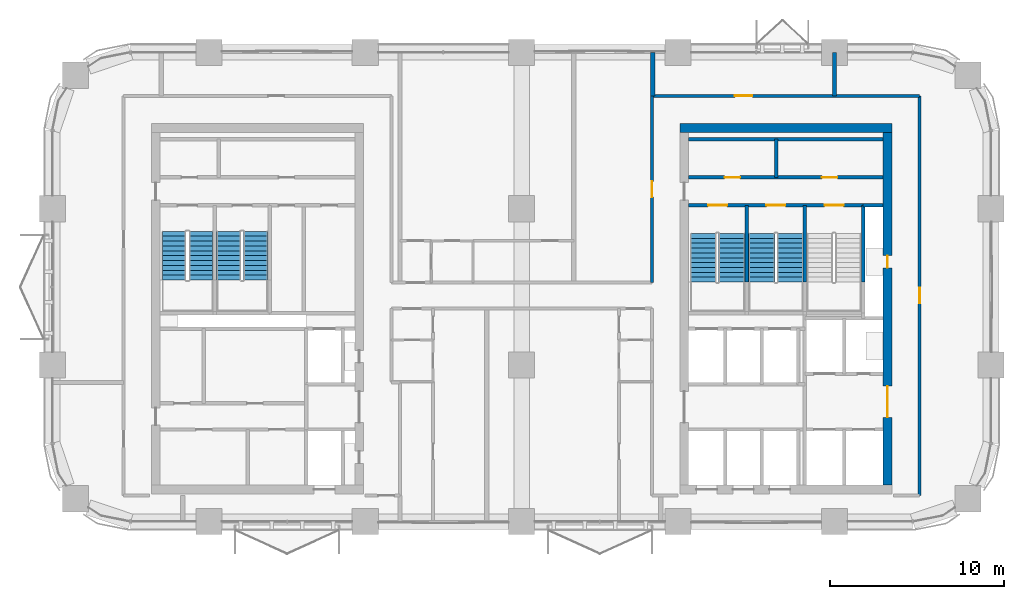
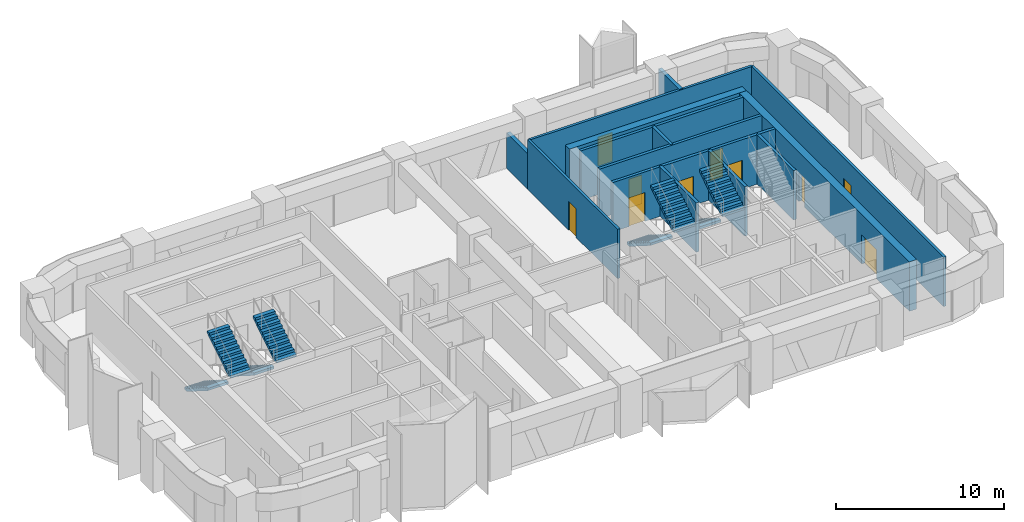
# One storey, part 11 of 14: 15 walls, 10 doors, 8 stair flights, 10 openings, 4 elements without a shape of their own.
"""IFC4 building model written with IfcOpenShell, lengths in metres."""

from ifc_helpers import new_model, si_unit, direction, frame, frame_2d, origin, place, context, subcontext, project, spatial, polyline, rectangle, outline, extrude, material, layer, layer_set, type_object, element, fill, aggregate, save


model = new_model("IFC4")

# Units and contexts
model_context = context("Model", 3, precision=1e-05, world=origin(), true_north=direction((0.0, 1.0)))
body_context = subcontext(model_context, "Body", "Model", "MODEL_VIEW")
ifc_project = project(units=[si_unit("LENGTHUNIT", "METRE"), si_unit("AREAUNIT", "SQUARE_METRE"), si_unit("VOLUMEUNIT", "CUBIC_METRE"), si_unit("PLANEANGLEUNIT", "RADIAN"), si_unit("MASSUNIT", "GRAM", prefix="KILO")], contexts=[model_context])

# Site, building, storey
site_placement = place(None, origin())
site = spatial("IfcSite", under=ifc_project, at=site_placement, CompositionType="ELEMENT")
building_placement = place(site_placement, origin())
building = spatial("IfcBuilding", under=site, at=building_placement, Name="Tessera Arch", CompositionType="ELEMENT")
storey_placement = place(building_placement, frame((0.0, 0.0, 142.699951171875)))
storey = spatial("IfcBuildingStorey", under=building, at=storey_placement, Name="L33", CompositionType="ELEMENT", Elevation=142.699951171875)

# Wall
ifc_material_1 = material(Name="Gypsum board on steel stud", Category="steel")
ifc_layer_1 = layer(ifc_material_1, 0.125)
ifc_layer_set_1 = layer_set([ifc_layer_1], Name="Core partition 125 EI 60")
wall_type_1 = type_object("IfcWallType", Name="Core partition 125 EI 60", PredefinedType="PARTITIONING", material=ifc_layer_set_1)
wall_1_placement = place(storey_placement, frame((41.639892578125, 46.800048828125, 0.0), z_axis=(0.0, 0.0, 1.0), x_axis=(0.0, 1.0, 0.0)))
element("IfcWall", 1, at=wall_1_placement, inside=storey, type_object=wall_type_1, Name="L33 C1 partition wall 7", PredefinedType="PARTITIONING", context=body_context, shape_type="SweptSolid", body=[
    extrude(rectangle(XDim=2.199951171875, YDim=0.199951171875, at=frame_2d((1.10009765625, 0.0))), origin(), (0.0, 0.0, 1.0), 3.60009765625),
])

# Wall, openings, doors
wall_2_placement = place(storey_placement, frame((36.60009765625, 46.800048828125, 0.0), z_axis=(0.0, 0.0, 1.0), x_axis=(1.0, 0.0, 0.0)))
wall_2 = element("IfcWall", 2, at=wall_2_placement, inside=storey, type_object=wall_type_1, Name="L33 C1 partition wall 31", PredefinedType="PARTITIONING", context=body_context, shape_type="SweptSolid", body=[
    extrude(rectangle(XDim=11.199951171875, YDim=0.199951171875, at=frame_2d((5.60009765625, 0.0))), origin(), (0.0, 0.0, 1.0), 3.60009765625),
])
opening_1_placement = place(wall_2_placement, frame((2.070068359375, 0.0, 0.0)))
opening_1 = element("IfcOpeningElement", 3, at=opening_1_placement, cuts=wall_2, Name="Opening L33-C18", PredefinedType="OPENING", context=body_context, shape_type="SweptSolid", body=[
    extrude(rectangle(XDim=0.89990234375, YDim=2.10009765625, at=frame_2d((0.449951171875, 1.050048828125))), frame((0.0, 0.10986328125, 0.0), z_axis=(0.0, -1.0, 0.0), x_axis=(1.0, 0.0, 0.0)), (0.0, 0.0, 1.0), 0.219970703125),
])
opening_2_placement = place(wall_2_placement, frame((7.669921875, 0.0, 0.0)))
opening_2 = element("IfcOpeningElement", 4, at=opening_2_placement, cuts=wall_2, Name="Opening L33-C19", PredefinedType="OPENING", context=body_context, shape_type="SweptSolid", body=[
    extrude(rectangle(XDim=0.89990234375, YDim=2.10009765625, at=frame_2d((0.449951171875, 1.050048828125))), frame((0.0, 0.10986328125, 0.0), z_axis=(0.0, -1.0, 0.0), x_axis=(1.0, 0.0, 0.0)), (0.0, 0.0, 1.0), 0.219970703125),
])
ifc_material_2 = material(Name="Steel door leaf", Category="steel")
door_type_1 = type_object("IfcDoorType", Name="Store door FD30S 900 x 2100", OperationType="SINGLE_SWING_LEFT", PredefinedType="DOOR", material=ifc_material_2)
door_1_placement = place(opening_1_placement, origin())
door_1 = element("IfcDoor", 5, at=door_1_placement, inside=storey, type_object=door_type_1, Name="L33 C1 door 18 C18 type D09", OperationType="SINGLE_SWING_LEFT", OverallHeight=2.10009765625, OverallWidth=0.89990234375, PredefinedType="DOOR", context=body_context, shape_type="SweptSolid", body=[
    extrude(rectangle(XDim=0.89990234375, YDim=2.10009765625, at=frame_2d((0.449951171875, 1.050048828125))), frame((0.0, 0.02490234375, 0.0), z_axis=(0.0, -1.0, 0.0), x_axis=(1.0, 0.0, 0.0)), (0.0, 0.0, 1.0), 0.050048828125),
])
fill(opening_1, door_1)
door_2_placement = place(opening_2_placement, origin())
door_2 = element("IfcDoor", 6, at=door_2_placement, inside=storey, type_object=door_type_1, Name="L33 C1 door 19 C19 type D09", OperationType="SINGLE_SWING_RIGHT", OverallHeight=2.10009765625, OverallWidth=0.89990234375, PredefinedType="DOOR", context=body_context, shape_type="SweptSolid", body=[
    extrude(rectangle(XDim=0.89990234375, YDim=2.10009765625, at=frame_2d((0.449951171875, 1.050048828125))), frame((0.0, 0.02490234375, 0.0), z_axis=(0.0, -1.0, 0.0), x_axis=(1.0, 0.0, 0.0)), (0.0, 0.0, 1.0), 0.050048828125),
])
fill(opening_2, door_2)

# Walls
wall_3_placement = place(storey_placement, frame((36.60009765625, 49.0, 0.0), z_axis=(0.0, 0.0, 1.0), x_axis=(1.0, 0.0, 0.0)))
element("IfcWall", 7, at=wall_3_placement, inside=storey, type_object=wall_type_1, Name="L33 C1 partition wall 32", PredefinedType="PARTITIONING", context=body_context, shape_type="SweptSolid", body=[
    extrude(rectangle(XDim=11.199951171875, YDim=0.199951171875, at=frame_2d((5.60009765625, 0.0))), origin(), (0.0, 0.0, 1.0), 3.60009765625),
])
ifc_material_3 = material(Name="Concrete C60/75", Category="concrete")
ifc_layer_2 = layer(ifc_material_3, 0.5)
ifc_layer_set_2 = layer_set([ifc_layer_2], Name="Core shell wall 500 C60-75")
wall_type_2 = type_object("IfcWallType", Name="Core shell wall 500 C60-75", PredefinedType="SHEAR", material=ifc_layer_set_2)
wall_4_placement = place(storey_placement, frame((36.10009765625, 49.64990234375, 0.0), z_axis=(0.0, 0.0, 1.0), x_axis=(1.0, 0.0, 0.0)))
element("IfcWall", 8, at=wall_4_placement, inside=storey, type_object=wall_type_2, Name="L33 C1 core wall N", PredefinedType="SHEAR", context=body_context, shape_type="SweptSolid", body=[
    extrude(rectangle(XDim=12.199951171875, YDim=0.5, at=frame_2d((6.10009765625, 0.0))), origin(), (0.0, 0.0, 1.0), 3.60009765625),
])

# Wall, openings, doors
wall_5_placement = place(storey_placement, frame((48.050048828125, 29.10009765625, 0.0), z_axis=(0.0, 0.0, 1.0), x_axis=(0.0, 1.0, 0.0)))
wall_5 = element("IfcWall", 9, at=wall_5_placement, inside=storey, type_object=wall_type_2, Name="L33 C1 core wall E", PredefinedType="SHEAR", context=body_context, shape_type="SweptSolid", body=[
    extrude(rectangle(XDim=20.2998046875, YDim=0.5, at=frame_2d((10.14990234375, 0.0))), origin(), (0.0, 0.0, 1.0), 3.60009765625),
])
opening_3_placement = place(wall_5_placement, frame((12.5, 0.0, 0.0)))
opening_3 = element("IfcOpeningElement", 10, at=opening_3_placement, cuts=wall_5, Name="Opening L33-C14", PredefinedType="OPENING", context=body_context, shape_type="SweptSolid", body=[
    extrude(rectangle(XDim=0.699951171875, YDim=2.10009765625, at=frame_2d((0.35009765625, 1.050048828125))), frame((0.0, 0.260009765625, 0.0), z_axis=(0.0, -1.0, 0.0), x_axis=(1.0, 0.0, 0.0)), (0.0, 0.0, 1.0), 0.52001953125),
])
opening_4_placement = place(wall_5_placement, frame((3.89990234375, 0.0, 0.0)))
opening_4 = element("IfcOpeningElement", 11, at=opening_4_placement, cuts=wall_5, Name="Opening L33-C15", PredefinedType="OPENING", context=body_context, shape_type="SweptSolid", body=[
    extrude(rectangle(XDim=1.800048828125, YDim=2.10009765625, at=frame_2d((0.89990234375, 1.050048828125))), frame((0.0, 0.260009765625, 0.0), z_axis=(0.0, -1.0, 0.0), x_axis=(1.0, 0.0, 0.0)), (0.0, 0.0, 1.0), 0.52001953125),
])
ifc_material_4 = material(Name="Glazed steel door leaf", Category="steel")
door_type_2 = type_object("IfcDoorType", Name="Lobby double door FD60 1800 x 2100", OperationType="DOUBLE_DOOR_SINGLE_SWING", PredefinedType="DOOR", material=ifc_material_4)
door_3_placement = place(opening_4_placement, origin())
door_3 = element("IfcDoor", 12, at=door_3_placement, inside=storey, type_object=door_type_2, Name="L33 C1 door 15 C15 type D19", OperationType="DOUBLE_DOOR_SINGLE_SWING", OverallHeight=2.10009765625, OverallWidth=1.800048828125, PredefinedType="DOOR", context=body_context, shape_type="SweptSolid", body=[
    extrude(rectangle(XDim=1.800048828125, YDim=2.10009765625, at=frame_2d((0.89990234375, 1.050048828125))), frame((0.0, 0.02490234375, 0.0), z_axis=(0.0, -1.0, 0.0), x_axis=(1.0, 0.0, 0.0)), (0.0, 0.0, 1.0), 0.050048828125),
])
fill(opening_4, door_3)
ifc_material_5 = material(Name="Steel door leaf", Category="steel")
door_type_3 = type_object("IfcDoorType", Name="Service shaft door FD60 700 x 2100", OperationType="SINGLE_SWING_LEFT", PredefinedType="DOOR", material=ifc_material_5)
door_4_placement = place(opening_3_placement, origin())
door_4 = element("IfcDoor", 13, at=door_4_placement, inside=storey, type_object=door_type_3, Name="L33 C1 door 14 C14 type D07", OperationType="SINGLE_SWING_RIGHT", OverallHeight=2.10009765625, OverallWidth=0.699951171875, PredefinedType="DOOR", context=body_context, shape_type="SweptSolid", body=[
    extrude(rectangle(XDim=0.699951171875, YDim=2.10009765625, at=frame_2d((0.35009765625, 1.050048828125))), frame((0.0, 0.02490234375, 0.0), z_axis=(0.0, -1.0, 0.0), x_axis=(1.0, 0.0, 0.0)), (0.0, 0.0, 1.0), 0.050048828125),
])
fill(opening_3, door_4)

# Wall, opening, door
ifc_material_6 = material(Name="Gypsum board on deep steel stud with mineral wool", Category="steel")
ifc_layer_3 = layer(ifc_material_6, 0.175048828125)
ifc_layer_set_3 = layer_set([ifc_layer_3], Name="Corridor wall 175 EI 60")
wall_type_3 = type_object("IfcWallType", Name="Corridor wall 175 EI 60", PredefinedType="PARTITIONING", material=ifc_layer_set_3)
wall_6_placement = place(storey_placement, frame((34.54248046875, 51.5, 0.0), z_axis=(0.0, 0.0, 1.0), x_axis=(1.0, 0.0, 0.0)))
wall_6 = element("IfcWall", 14, at=wall_6_placement, inside=storey, type_object=wall_type_3, Name="L33 partition 9", PredefinedType="PARTITIONING", context=body_context, shape_type="SweptSolid", body=[
    extrude(rectangle(XDim=15.357421875, YDim=0.175048828125, at=frame_2d((7.6787109375, 0.0))), origin(), (0.0, 0.0, 1.0), 3.60009765625),
])
opening_5_placement = place(wall_6_placement, frame((4.728759765625, 0.0, 0.0)))
opening_5 = element("IfcOpeningElement", 15, at=opening_5_placement, cuts=wall_6, Name="Opening L33-D021", PredefinedType="OPENING", context=body_context, shape_type="SweptSolid", body=[
    extrude(rectangle(XDim=1.0, YDim=2.10009765625, at=frame_2d((0.5, 1.050048828125))), frame((0.0, 0.097412109375, 0.0), z_axis=(0.0, -1.0, 0.0), x_axis=(1.0, 0.0, 0.0)), (0.0, 0.0, 1.0), 0.195068359375),
])
ifc_material_7 = material(Name="Fire-rated door leaf")
door_type_4 = type_object("IfcDoorType", Name="Entrance door FD30S 1000 x 2100", OperationType="SINGLE_SWING_LEFT", PredefinedType="DOOR", material=ifc_material_7)
door_5_placement = place(opening_5_placement, origin())
door_5 = element("IfcDoor", 16, at=door_5_placement, inside=storey, type_object=door_type_4, Name="L33 door D021 type D03", OperationType="SINGLE_SWING_RIGHT", OverallHeight=2.10009765625, OverallWidth=1.0, PredefinedType="DOOR", context=body_context, shape_type="SweptSolid", body=[
    extrude(rectangle(XDim=1.0, YDim=2.10009765625, at=frame_2d((0.5, 1.050048828125))), frame((0.0, 0.02490234375, 0.0), z_axis=(0.0, -1.0, 0.0), x_axis=(1.0, 0.0, 0.0)), (0.0, 0.0, 1.0), 0.050048828125),
])
fill(opening_5, door_5)

wall_7_placement = place(storey_placement, frame((34.5, 40.75, 0.0), z_axis=(0.0, 0.0, 1.0), x_axis=(0.0, 1.0, 0.0)))
wall_7 = element("IfcWall", 17, at=wall_7_placement, inside=storey, type_object=wall_type_3, Name="L33 partition 15", PredefinedType="PARTITIONING", context=body_context, shape_type="SweptSolid", body=[
    extrude(rectangle(XDim=10.75, YDim=0.175048828125, at=frame_2d((5.375, 0.0))), origin(), (0.0, 0.0, 1.0), 3.60009765625),
])
opening_6_placement = place(wall_7_placement, frame((4.925048828125, 0.0, 0.0)))
opening_6 = element("IfcOpeningElement", 18, at=opening_6_placement, cuts=wall_7, Name="Opening L33-D019", PredefinedType="OPENING", context=body_context, shape_type="SweptSolid", body=[
    extrude(rectangle(XDim=0.89990234375, YDim=2.10009765625, at=frame_2d((0.449951171875, 1.050048828125))), frame((0.0, 0.097412109375, 0.0), z_axis=(0.0, -1.0, 0.0), x_axis=(1.0, 0.0, 0.0)), (0.0, 0.0, 1.0), 0.195068359375),
])
ifc_material_8 = material(Name="Timber door leaf", Category="wood")
door_type_5 = type_object("IfcDoorType", Name="Room door 900 x 2100", OperationType="SINGLE_SWING_LEFT", PredefinedType="DOOR", material=ifc_material_8)
door_6_placement = place(opening_6_placement, origin())
door_6 = element("IfcDoor", 19, at=door_6_placement, inside=storey, type_object=door_type_5, Name="L33 door D019 type D01", OperationType="SINGLE_SWING_RIGHT", OverallHeight=2.10009765625, OverallWidth=0.89990234375, PredefinedType="DOOR", context=body_context, shape_type="SweptSolid", body=[
    extrude(rectangle(XDim=0.89990234375, YDim=2.10009765625, at=frame_2d((0.449951171875, 1.050048828125))), frame((0.0, 0.02490234375, 0.0), z_axis=(0.0, -1.0, 0.0), x_axis=(1.0, 0.0, 0.0)), (0.0, 0.0, 1.0), 0.050048828125),
])
fill(opening_6, door_6)

wall_8_placement = place(storey_placement, frame((49.89990234375, 28.5, 0.0), z_axis=(0.0, 0.0, 1.0), x_axis=(0.0, 1.0, 0.0)))
wall_8 = element("IfcWall", 20, at=wall_8_placement, inside=storey, type_object=wall_type_3, Name="L33 partition 16", PredefinedType="PARTITIONING", context=body_context, shape_type="SweptSolid", body=[
    extrude(rectangle(XDim=23.0, YDim=0.175048828125, at=frame_2d((11.5, 0.0))), origin(), (0.0, 0.0, 1.0), 3.60009765625),
])
opening_7_placement = place(wall_8_placement, frame((11.050048828125, 0.0, 0.0)))
opening_7 = element("IfcOpeningElement", 21, at=opening_7_placement, cuts=wall_8, Name="Opening L33-D012", PredefinedType="OPENING", context=body_context, shape_type="SweptSolid", body=[
    extrude(rectangle(XDim=0.89990234375, YDim=2.10009765625, at=frame_2d((0.449951171875, 1.050048828125))), frame((0.0, 0.097412109375, 0.0), z_axis=(0.0, -1.0, 0.0), x_axis=(1.0, 0.0, 0.0)), (0.0, 0.0, 1.0), 0.195068359375),
])
door_7_placement = place(opening_7_placement, origin())
door_7 = element("IfcDoor", 22, at=door_7_placement, inside=storey, type_object=door_type_5, Name="L33 door D012 type D01", OperationType="SINGLE_SWING_RIGHT", OverallHeight=2.10009765625, OverallWidth=0.89990234375, PredefinedType="DOOR", context=body_context, shape_type="SweptSolid", body=[
    extrude(rectangle(XDim=0.89990234375, YDim=2.10009765625, at=frame_2d((0.449951171875, 1.050048828125))), frame((0.0, 0.02490234375, 0.0), z_axis=(0.0, -1.0, 0.0), x_axis=(1.0, 0.0, 0.0)), (0.0, 0.0, 1.0), 0.050048828125),
])
fill(opening_7, door_7)

# Walls
ifc_material_9 = material(Name="Double gypsum board on twin steel stud with acoustic mineral wool", Category="steel")
ifc_layer_4 = layer(ifc_material_9, 0.25)
ifc_layer_set_4 = layer_set([ifc_layer_4], Name="Party wall 250 EI 60")
wall_type_4 = type_object("IfcWallType", Name="Party wall 250 EI 60", PredefinedType="PARTITIONING", material=ifc_layer_set_4)
wall_9_placement = place(storey_placement, frame((34.54296875, 51.5, 0.0), z_axis=(0.0, 0.0, 1.0), x_axis=(0.0, 1.0, 0.0)))
element("IfcWall", 23, at=wall_9_placement, inside=storey, type_object=wall_type_4, Name="L33 partition 30", PredefinedType="PARTITIONING", context=body_context, shape_type="SweptSolid", body=[
    extrude(rectangle(XDim=2.5, YDim=0.25, at=frame_2d((1.25, 0.0))), origin(), (0.0, 0.0, 1.0), 2.60009765625),
])
wall_10_placement = place(storey_placement, frame((45.0, 51.5, 0.0), z_axis=(0.0, 0.0, 1.0), x_axis=(0.0, 1.0, 0.0)))
element("IfcWall", 24, at=wall_10_placement, inside=storey, type_object=wall_type_4, Name="L33 partition 32", PredefinedType="PARTITIONING", context=body_context, shape_type="SweptSolid", body=[
    extrude(rectangle(XDim=2.5, YDim=0.25, at=frame_2d((1.25, 0.0))), origin(), (0.0, 0.0, 1.0), 3.60009765625),
])
ifc_material_10 = material(Name="Concrete C40/50", Category="concrete")
ifc_layer_5 = layer(ifc_material_10, 0.199951171875)
ifc_layer_set_5 = layer_set([ifc_layer_5], Name="Shaft wall 200 EI 120")
wall_type_5 = type_object("IfcWallType", Name="Shaft wall 200 EI 120", PredefinedType="SOLIDWALL", material=ifc_layer_set_5)
wall_11_placement = place(storey_placement, frame((46.64990234375, 45.199951171875, 0.0), z_axis=(0.0, 0.0, 1.0), x_axis=(1.0, 0.0, 0.0)))
element("IfcWall", 25, at=wall_11_placement, inside=storey, type_object=wall_type_5, Name="L33 C1 shaft wall 29", PredefinedType="SOLIDWALL", context=body_context, shape_type="SweptSolid", body=[
    extrude(rectangle(XDim=1.150146484375, YDim=0.199951171875, at=frame_2d((0.5751953125, 0.0))), origin(), (0.0, 0.0, 1.0), 3.60009765625),
])
ifc_material_11 = material(Name="Concrete C40/50", Category="concrete")
ifc_layer_6 = layer(ifc_material_11, 0.199951171875)
ifc_layer_set_6 = layer_set([ifc_layer_6], Name="Stair well wall 200 REI 180")
wall_type_6 = type_object("IfcWallType", Name="Stair well wall 200 REI 180", PredefinedType="SOLIDWALL", material=ifc_layer_set_6)
for number, where, z_axis, x_axis, name in (
    (26, (39.949951171875, 40.780029296875, 0.0), (0.0, 0.0, 1.0), (0.0, 1.0, 0.0), "L33 C1 shaft wall 4"),
    (27, (43.300048828125, 40.780029296875, 0.0), (0.0, 0.0, 1.0), (0.0, 1.0, 0.0), "L33 C1 shaft wall 12"),
    (28, (46.64990234375, 40.780029296875, 0.0), (0.0, 0.0, 1.0), (0.0, 1.0, 0.0), "L33 C1 shaft wall 17"),
):
    element("IfcWall", number, at=place(storey_placement, frame(where, z_axis=z_axis, x_axis=x_axis)), inside=storey, type_object=wall_type_6, Name=name, PredefinedType="SOLIDWALL", context=body_context, shape_type="SweptSolid", body=[
        extrude(rectangle(XDim=4.419921875, YDim=0.199951171875, at=frame_2d((2.2099609375, 0.0))), origin(), (0.0, 0.0, 1.0), 3.60009765625),
    ])

# Wall, openings, doors
wall_12_placement = place(storey_placement, frame((36.60009765625, 45.199951171875, 0.0), z_axis=(0.0, 0.0, 1.0), x_axis=(1.0, 0.0, 0.0)))
wall_12 = element("IfcWall", 29, at=wall_12_placement, inside=storey, type_object=wall_type_6, Name="L33 C1 shaft wall 30", PredefinedType="SOLIDWALL", context=body_context, shape_type="SweptSolid", body=[
    extrude(rectangle(XDim=10.0498046875, YDim=0.199951171875, at=frame_2d((5.02490234375, 0.0))), origin(), (0.0, 0.0, 1.0), 3.60009765625),
])
opening_8_placement = place(wall_12_placement, frame((1.125, 0.0, 0.0)))
opening_8 = element("IfcOpeningElement", 30, at=opening_8_placement, cuts=wall_12, Name="Opening L33-C11", PredefinedType="OPENING", context=body_context, shape_type="SweptSolid", body=[
    extrude(rectangle(XDim=1.10009765625, YDim=2.10009765625, at=frame_2d((0.550048828125, 1.050048828125))), frame((0.0, 0.10986328125, 0.0), z_axis=(0.0, -1.0, 0.0), x_axis=(1.0, 0.0, 0.0)), (0.0, 0.0, 1.0), 0.219970703125),
])
opening_9_placement = place(wall_12_placement, frame((4.47509765625, 0.0, 0.0)))
opening_9 = element("IfcOpeningElement", 31, at=opening_9_placement, cuts=wall_12, Name="Opening L33-C12", PredefinedType="OPENING", context=body_context, shape_type="SweptSolid", body=[
    extrude(rectangle(XDim=1.10009765625, YDim=2.10009765625, at=frame_2d((0.550048828125, 1.050048828125))), frame((0.0, 0.10986328125, 0.0), z_axis=(0.0, -1.0, 0.0), x_axis=(1.0, 0.0, 0.0)), (0.0, 0.0, 1.0), 0.219970703125),
])
opening_10_placement = place(wall_12_placement, frame((7.824951171875, 0.0, 0.0)))
opening_10 = element("IfcOpeningElement", 32, at=opening_10_placement, cuts=wall_12, Name="Opening L33-C13", PredefinedType="OPENING", context=body_context, shape_type="SweptSolid", body=[
    extrude(rectangle(XDim=1.10009765625, YDim=2.10009765625, at=frame_2d((0.550048828125, 1.050048828125))), frame((0.0, 0.10986328125, 0.0), z_axis=(0.0, -1.0, 0.0), x_axis=(1.0, 0.0, 0.0)), (0.0, 0.0, 1.0), 0.219970703125),
])
ifc_material_12 = material(Name="Steel door leaf", Category="steel")
door_type_6 = type_object("IfcDoorType", Name="Stair door FD60 1100 x 2100", OperationType="SINGLE_SWING_LEFT", PredefinedType="DOOR", material=ifc_material_12)
door_8_placement = place(opening_8_placement, origin())
door_8 = element("IfcDoor", 33, at=door_8_placement, inside=storey, type_object=door_type_6, Name="L33 C1 door 11 C11 type D05", OperationType="SINGLE_SWING_LEFT", OverallHeight=2.10009765625, OverallWidth=1.10009765625, PredefinedType="DOOR", context=body_context, shape_type="SweptSolid", body=[
    extrude(rectangle(XDim=1.10009765625, YDim=2.10009765625, at=frame_2d((0.550048828125, 1.050048828125))), frame((0.0, 0.02490234375, 0.0), z_axis=(0.0, -1.0, 0.0), x_axis=(1.0, 0.0, 0.0)), (0.0, 0.0, 1.0), 0.050048828125),
])
fill(opening_8, door_8)
door_9_placement = place(opening_9_placement, origin())
door_9 = element("IfcDoor", 34, at=door_9_placement, inside=storey, type_object=door_type_6, Name="L33 C1 door 12 C12 type D05", OperationType="SINGLE_SWING_RIGHT", OverallHeight=2.10009765625, OverallWidth=1.10009765625, PredefinedType="DOOR", context=body_context, shape_type="SweptSolid", body=[
    extrude(rectangle(XDim=1.10009765625, YDim=2.10009765625, at=frame_2d((0.550048828125, 1.050048828125))), frame((0.0, 0.02490234375, 0.0), z_axis=(0.0, -1.0, 0.0), x_axis=(1.0, 0.0, 0.0)), (0.0, 0.0, 1.0), 0.050048828125),
])
fill(opening_9, door_9)
door_10_placement = place(opening_10_placement, origin())
door_10 = element("IfcDoor", 35, at=door_10_placement, inside=storey, type_object=door_type_6, Name="L33 C1 door 13 C13 type D05", OperationType="SINGLE_SWING_RIGHT", OverallHeight=2.10009765625, OverallWidth=1.10009765625, PredefinedType="DOOR", context=body_context, shape_type="SweptSolid", body=[
    extrude(rectangle(XDim=1.10009765625, YDim=2.10009765625, at=frame_2d((0.550048828125, 1.050048828125))), frame((0.0, 0.02490234375, 0.0), z_axis=(0.0, -1.0, 0.0), x_axis=(1.0, 0.0, 0.0)), (0.0, 0.0, 1.0), 0.050048828125),
])
fill(opening_10, door_10)

# Stair, stair flights
ifc_material_13 = material(Name="Concrete C40/50", Category="concrete")
stair_type_1 = type_object("IfcStairType", Name="Dogleg stair 1400", PredefinedType="HALF_TURN_STAIR", material=ifc_material_13)
stair_1_placement = place(storey_placement, origin())
stair_1 = element("IfcStair", 36, at=stair_1_placement, inside=storey, type_object=stair_type_1, Name="L33 S2a", PredefinedType="HALF_TURN_STAIR")
ifc_material_14 = material(Name="Concrete C40/50", Category="concrete")
stair_flight_type_1 = type_object("IfcStairFlightType", Name="Stair flight 1400", PredefinedType="STRAIGHT", material=ifc_material_14)
stair_flight_1_placement = place(storey_placement, frame((7.0, 43.699951171875, 0.0), z_axis=(0.0, 0.0, 1.0), x_axis=(0.0, -1.0, 0.0)))
stair_flight_1 = element("IfcStairFlight", 37, at=stair_flight_1_placement, type_object=stair_flight_type_1, Name="S2a flight 1", NumberOfRisers=11, NumberOfTreads=10, PredefinedType="STRAIGHT", RiserHeight=0.177272727, TreadLength=0.28, context=body_context, shape_type="SweptSolid", body=[
    extrude(outline(polyline([(0.0, 0.0), (0.0, 0.17724609375), (0.280029296875, 0.17724609375), (0.280029296875, 0.3544921875), (0.56005859375, 0.3544921875), (0.56005859375, 0.53173828125), (0.840087890625, 0.53173828125), (0.840087890625, 0.708984375), (1.1201171875, 0.708984375), (1.1201171875, 0.886474609375), (1.39990234375, 0.886474609375), (1.39990234375, 1.063720703125), (1.679931640625, 1.063720703125), (1.679931640625, 1.240966796875), (1.9599609375, 1.240966796875), (1.9599609375, 1.418212890625), (2.239990234375, 1.418212890625), (2.239990234375, 1.595458984375), (2.52001953125, 1.595458984375), (2.52001953125, 1.772705078125), (2.800048828125, 1.772705078125), (2.800048828125, 1.949951171875), (2.800048828125, 1.59521484375), (0.2802734375, 0.0), (0.0, 0.0)])), frame((0.0, 0.699951171875, 0.0), z_axis=(0.0, -1.0, 0.0), x_axis=(1.0, 0.0, 0.0)), (0.0, 0.0, 1.0), 1.39990234375),
])
stair_flight_2_placement = place(storey_placement, frame((8.550048828125, 40.89990234375, 1.949951171875), z_axis=(0.0, 0.0, 1.0), x_axis=(0.0, 1.0, 0.0)))
stair_flight_2 = element("IfcStairFlight", 38, at=stair_flight_2_placement, type_object=stair_flight_type_1, Name="S2a flight 2", NumberOfRisers=11, NumberOfTreads=10, PredefinedType="STRAIGHT", RiserHeight=0.177272727, TreadLength=0.28, context=body_context, shape_type="SweptSolid", body=[
    extrude(outline(polyline([(0.0, 0.0), (0.0, 0.17724609375), (0.280029296875, 0.17724609375), (0.280029296875, 0.3544921875), (0.56005859375, 0.3544921875), (0.56005859375, 0.53173828125), (0.840087890625, 0.53173828125), (0.840087890625, 0.708984375), (1.1201171875, 0.708984375), (1.1201171875, 0.886474609375), (1.39990234375, 0.886474609375), (1.39990234375, 1.063720703125), (1.679931640625, 1.063720703125), (1.679931640625, 1.240966796875), (1.9599609375, 1.240966796875), (1.9599609375, 1.418212890625), (2.239990234375, 1.418212890625), (2.239990234375, 1.595458984375), (2.52001953125, 1.595458984375), (2.52001953125, 1.772705078125), (2.800048828125, 1.772705078125), (2.800048828125, 1.949951171875), (2.800048828125, 1.59521484375), (0.2802734375, 0.0), (0.0, 0.0)])), frame((0.0, 0.699951171875, 0.0), z_axis=(0.0, -1.0, 0.0), x_axis=(1.0, 0.0, 0.0)), (0.0, 0.0, 1.0), 1.39990234375),
])
aggregate(stair_1, [stair_flight_1, stair_flight_2])

stair_2_placement = place(storey_placement, origin())
stair_2 = element("IfcStair", 39, at=stair_2_placement, inside=storey, type_object=stair_type_1, Name="L33 S2b", PredefinedType="HALF_TURN_STAIR")
stair_flight_3_placement = place(storey_placement, frame((10.14990234375, 43.699951171875, 0.0), z_axis=(0.0, 0.0, 1.0), x_axis=(0.0, -1.0, 0.0)))
stair_flight_3 = element("IfcStairFlight", 40, at=stair_flight_3_placement, type_object=stair_flight_type_1, Name="S2b flight 1", NumberOfRisers=11, NumberOfTreads=10, PredefinedType="STRAIGHT", RiserHeight=0.177272727, TreadLength=0.28, context=body_context, shape_type="SweptSolid", body=[
    extrude(outline(polyline([(0.0, 0.0), (0.0, 0.17724609375), (0.280029296875, 0.17724609375), (0.280029296875, 0.3544921875), (0.56005859375, 0.3544921875), (0.56005859375, 0.53173828125), (0.840087890625, 0.53173828125), (0.840087890625, 0.708984375), (1.1201171875, 0.708984375), (1.1201171875, 0.886474609375), (1.39990234375, 0.886474609375), (1.39990234375, 1.063720703125), (1.679931640625, 1.063720703125), (1.679931640625, 1.240966796875), (1.9599609375, 1.240966796875), (1.9599609375, 1.418212890625), (2.239990234375, 1.418212890625), (2.239990234375, 1.595458984375), (2.52001953125, 1.595458984375), (2.52001953125, 1.772705078125), (2.800048828125, 1.772705078125), (2.800048828125, 1.949951171875), (2.800048828125, 1.59521484375), (0.2802734375, 0.0), (0.0, 0.0)])), frame((0.0, 0.699951171875, 0.0), z_axis=(0.0, -1.0, 0.0), x_axis=(1.0, 0.0, 0.0)), (0.0, 0.0, 1.0), 1.39990234375),
])
stair_flight_4_placement = place(storey_placement, frame((11.699951171875, 40.89990234375, 1.949951171875), z_axis=(0.0, 0.0, 1.0), x_axis=(0.0, 1.0, 0.0)))
stair_flight_4 = element("IfcStairFlight", 41, at=stair_flight_4_placement, type_object=stair_flight_type_1, Name="S2b flight 2", NumberOfRisers=11, NumberOfTreads=10, PredefinedType="STRAIGHT", RiserHeight=0.177272727, TreadLength=0.28, context=body_context, shape_type="SweptSolid", body=[
    extrude(outline(polyline([(0.0, 0.0), (0.0, 0.17724609375), (0.280029296875, 0.17724609375), (0.280029296875, 0.3544921875), (0.56005859375, 0.3544921875), (0.56005859375, 0.53173828125), (0.840087890625, 0.53173828125), (0.840087890625, 0.708984375), (1.1201171875, 0.708984375), (1.1201171875, 0.886474609375), (1.39990234375, 0.886474609375), (1.39990234375, 1.063720703125), (1.679931640625, 1.063720703125), (1.679931640625, 1.240966796875), (1.9599609375, 1.240966796875), (1.9599609375, 1.418212890625), (2.239990234375, 1.418212890625), (2.239990234375, 1.595458984375), (2.52001953125, 1.595458984375), (2.52001953125, 1.772705078125), (2.800048828125, 1.772705078125), (2.800048828125, 1.949951171875), (2.800048828125, 1.59521484375), (0.2802734375, 0.0), (0.0, 0.0)])), frame((0.0, 0.699951171875, 0.0), z_axis=(0.0, -1.0, 0.0), x_axis=(1.0, 0.0, 0.0)), (0.0, 0.0, 1.0), 1.39990234375),
])
aggregate(stair_2, [stair_flight_3, stair_flight_4])

ifc_material_15 = material(Name="Concrete C40/50", Category="concrete")
stair_type_2 = type_object("IfcStairType", Name="Dogleg stair 1520", PredefinedType="HALF_TURN_STAIR", material=ifc_material_15)
stair_3_placement = place(storey_placement, origin())
stair_3 = element("IfcStair", 42, at=stair_3_placement, inside=storey, type_object=stair_type_2, Name="L33 S1a", PredefinedType="HALF_TURN_STAIR")
ifc_material_16 = material(Name="Concrete C40/50", Category="concrete")
stair_flight_type_2 = type_object("IfcStairFlightType", Name="Stair flight 1520", PredefinedType="STRAIGHT", material=ifc_material_16)
stair_flight_5_placement = place(storey_placement, frame((37.4599609375, 43.580078125, 0.0), z_axis=(0.0, 0.0, 1.0), x_axis=(0.0, -1.0, 0.0)))
stair_flight_5 = element("IfcStairFlight", 43, at=stair_flight_5_placement, type_object=stair_flight_type_2, Name="S1a flight 1", NumberOfRisers=11, NumberOfTreads=10, PredefinedType="STRAIGHT", RiserHeight=0.177272727, TreadLength=0.28, context=body_context, shape_type="SweptSolid", body=[
    extrude(outline(polyline([(0.0, 0.0), (0.0, 0.17724609375), (0.280029296875, 0.17724609375), (0.280029296875, 0.3544921875), (0.56005859375, 0.3544921875), (0.56005859375, 0.53173828125), (0.840087890625, 0.53173828125), (0.840087890625, 0.708984375), (1.1201171875, 0.708984375), (1.1201171875, 0.886474609375), (1.39990234375, 0.886474609375), (1.39990234375, 1.063720703125), (1.679931640625, 1.063720703125), (1.679931640625, 1.240966796875), (1.9599609375, 1.240966796875), (1.9599609375, 1.418212890625), (2.239990234375, 1.418212890625), (2.239990234375, 1.595458984375), (2.52001953125, 1.595458984375), (2.52001953125, 1.772705078125), (2.800048828125, 1.772705078125), (2.800048828125, 1.949951171875), (2.800048828125, 1.59521484375), (0.2802734375, 0.0), (0.0, 0.0)])), frame((0.0, 0.760009765625, 0.0), z_axis=(0.0, -1.0, 0.0), x_axis=(1.0, 0.0, 0.0)), (0.0, 0.0, 1.0), 1.52001953125),
])
stair_flight_6_placement = place(storey_placement, frame((39.090087890625, 40.780029296875, 1.949951171875), z_axis=(0.0, 0.0, 1.0), x_axis=(0.0, 1.0, 0.0)))
stair_flight_6 = element("IfcStairFlight", 44, at=stair_flight_6_placement, type_object=stair_flight_type_2, Name="S1a flight 2", NumberOfRisers=11, NumberOfTreads=10, PredefinedType="STRAIGHT", RiserHeight=0.177272727, TreadLength=0.28, context=body_context, shape_type="SweptSolid", body=[
    extrude(outline(polyline([(0.0, 0.0), (0.0, 0.17724609375), (0.280029296875, 0.17724609375), (0.280029296875, 0.3544921875), (0.56005859375, 0.3544921875), (0.56005859375, 0.53173828125), (0.840087890625, 0.53173828125), (0.840087890625, 0.708984375), (1.1201171875, 0.708984375), (1.1201171875, 0.886474609375), (1.39990234375, 0.886474609375), (1.39990234375, 1.063720703125), (1.679931640625, 1.063720703125), (1.679931640625, 1.240966796875), (1.9599609375, 1.240966796875), (1.9599609375, 1.418212890625), (2.239990234375, 1.418212890625), (2.239990234375, 1.595458984375), (2.52001953125, 1.595458984375), (2.52001953125, 1.772705078125), (2.800048828125, 1.772705078125), (2.800048828125, 1.949951171875), (2.800048828125, 1.59521484375), (0.2802734375, 0.0), (0.0, 0.0)])), frame((0.0, 0.760009765625, 0.0), z_axis=(0.0, -1.0, 0.0), x_axis=(1.0, 0.0, 0.0)), (0.0, 0.0, 1.0), 1.52001953125),
])
aggregate(stair_3, [stair_flight_5, stair_flight_6])

stair_4_placement = place(storey_placement, origin())
stair_4 = element("IfcStair", 45, at=stair_4_placement, inside=storey, type_object=stair_type_2, Name="L33 S1b", PredefinedType="HALF_TURN_STAIR")
stair_flight_7_placement = place(storey_placement, frame((40.81005859375, 43.580078125, 0.0), z_axis=(0.0, 0.0, 1.0), x_axis=(0.0, -1.0, 0.0)))
stair_flight_7 = element("IfcStairFlight", 46, at=stair_flight_7_placement, type_object=stair_flight_type_2, Name="S1b flight 1", NumberOfRisers=11, NumberOfTreads=10, PredefinedType="STRAIGHT", RiserHeight=0.177272727, TreadLength=0.28, context=body_context, shape_type="SweptSolid", body=[
    extrude(outline(polyline([(0.0, 0.0), (0.0, 0.17724609375), (0.280029296875, 0.17724609375), (0.280029296875, 0.3544921875), (0.56005859375, 0.3544921875), (0.56005859375, 0.53173828125), (0.840087890625, 0.53173828125), (0.840087890625, 0.708984375), (1.1201171875, 0.708984375), (1.1201171875, 0.886474609375), (1.39990234375, 0.886474609375), (1.39990234375, 1.063720703125), (1.679931640625, 1.063720703125), (1.679931640625, 1.240966796875), (1.9599609375, 1.240966796875), (1.9599609375, 1.418212890625), (2.239990234375, 1.418212890625), (2.239990234375, 1.595458984375), (2.52001953125, 1.595458984375), (2.52001953125, 1.772705078125), (2.800048828125, 1.772705078125), (2.800048828125, 1.949951171875), (2.800048828125, 1.59521484375), (0.2802734375, 0.0), (0.0, 0.0)])), frame((0.0, 0.760009765625, 0.0), z_axis=(0.0, -1.0, 0.0), x_axis=(1.0, 0.0, 0.0)), (0.0, 0.0, 1.0), 1.52001953125),
])
stair_flight_8_placement = place(storey_placement, frame((42.43994140625, 40.780029296875, 1.949951171875), z_axis=(0.0, 0.0, 1.0), x_axis=(0.0, 1.0, 0.0)))
stair_flight_8 = element("IfcStairFlight", 47, at=stair_flight_8_placement, type_object=stair_flight_type_2, Name="S1b flight 2", NumberOfRisers=11, NumberOfTreads=10, PredefinedType="STRAIGHT", RiserHeight=0.177272727, TreadLength=0.28, context=body_context, shape_type="SweptSolid", body=[
    extrude(outline(polyline([(0.0, 0.0), (0.0, 0.17724609375), (0.280029296875, 0.17724609375), (0.280029296875, 0.3544921875), (0.56005859375, 0.3544921875), (0.56005859375, 0.53173828125), (0.840087890625, 0.53173828125), (0.840087890625, 0.708984375), (1.1201171875, 0.708984375), (1.1201171875, 0.886474609375), (1.39990234375, 0.886474609375), (1.39990234375, 1.063720703125), (1.679931640625, 1.063720703125), (1.679931640625, 1.240966796875), (1.9599609375, 1.240966796875), (1.9599609375, 1.418212890625), (2.239990234375, 1.418212890625), (2.239990234375, 1.595458984375), (2.52001953125, 1.595458984375), (2.52001953125, 1.772705078125), (2.800048828125, 1.772705078125), (2.800048828125, 1.949951171875), (2.800048828125, 1.59521484375), (0.2802734375, 0.0), (0.0, 0.0)])), frame((0.0, 0.760009765625, 0.0), z_axis=(0.0, -1.0, 0.0), x_axis=(1.0, 0.0, 0.0)), (0.0, 0.0, 1.0), 1.52001953125),
])
aggregate(stair_4, [stair_flight_7, stair_flight_8])

save(model, "model.ifc")
